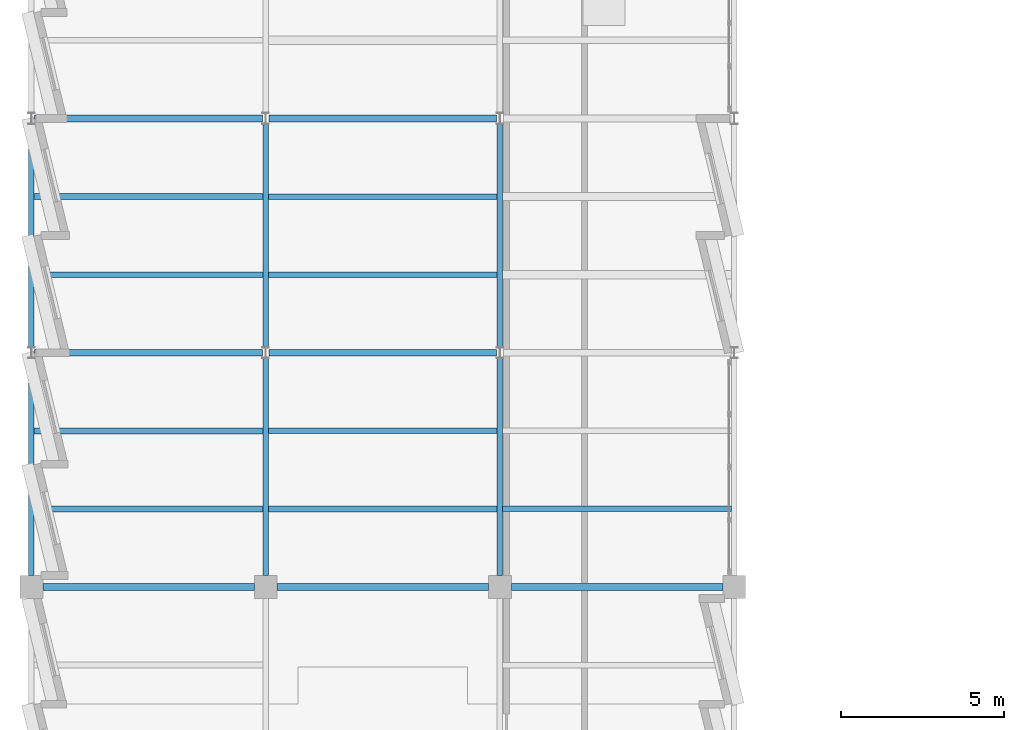
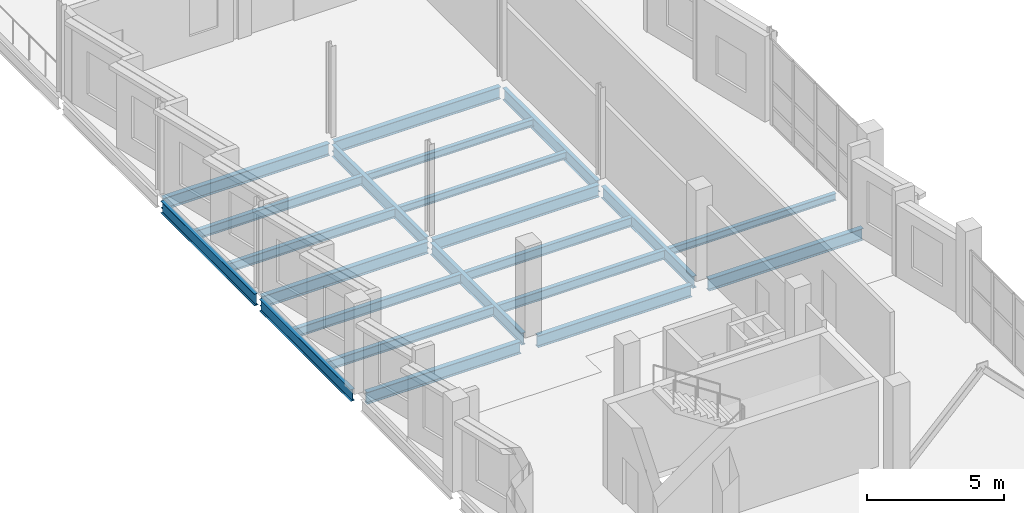
# One storey, part 15 of 33: 22 beams.
"""IFC4 building model written with IfcOpenShell, lengths in metres."""

from ifc_helpers import new_model, si_unit, direction, frame, origin, origin_2d, place, context, subcontext, project, spatial, i_section, extrude, material, material_profile, profile_set, type_object, element, save


model = new_model("IFC4")

# Units and contexts
model_context = context("Model", 3, precision=1e-05, world=origin(), true_north=direction((0.0, 1.0)))
body_context = subcontext(model_context, "Body", "Model", "MODEL_VIEW")
ifc_project = project(units=[si_unit("LENGTHUNIT", "METRE"), si_unit("AREAUNIT", "SQUARE_METRE"), si_unit("VOLUMEUNIT", "CUBIC_METRE"), si_unit("PLANEANGLEUNIT", "RADIAN"), si_unit("MASSUNIT", "GRAM", prefix="KILO")], contexts=[model_context])

# Site, building, storey
site_placement = place(None, origin())
site = spatial("IfcSite", under=ifc_project, at=site_placement, CompositionType="ELEMENT")
building_placement = place(site_placement, origin())
building = spatial("IfcBuilding", under=site, at=building_placement, Name="Kalmorath City Hall", CompositionType="ELEMENT")
storey_placement = place(building_placement, frame((0.0, 0.0, 22.949951171875)))
storey = spatial("IfcBuildingStorey", under=building, at=storey_placement, Name="L05", CompositionType="ELEMENT", Elevation=22.949951171875)

# Beams
ifc_material_1 = material(Name="Steel ASTM A992 Grade 50", Category="steel")
ifc_material_profile_1 = material_profile(ifc_material_1, i_section(OverallWidth=0.177001953125, OverallDepth=0.403076171875, WebThickness=0.007568359375, FlangeThickness=0.010986328125, FilletRadius=0.012939453125, at=origin_2d()), Name="W16X36")
ifc_profile_set_1 = profile_set([ifc_material_profile_1], Name="Steel ASTM A992 Grade 50")
beam_type_1 = type_object("IfcBeamType", Name="Steel composite joist W16X36", PredefinedType="JOIST", material=ifc_profile_set_1)
for number, where, z_axis, x_axis, name in (
    (1, (0.08251953125, 74.39990234375, -0.495361328125), (1.0, 0.0, 0.0), (0.0, 1.0, 0.0), "L05 joist SJ7 1.11.1"),
    (2, (0.08251953125, 76.800048828125, -0.495361328125), (1.0, 0.0, 0.0), (0.0, 1.0, 0.0), "L05 joist SJ7 1.11.2"),
):
    element("IfcBeam", number, at=place(storey_placement, frame(where, z_axis=z_axis, x_axis=x_axis)), inside=storey, type_object=beam_type_1, Name=name, PredefinedType="JOIST", context=body_context, shape_type="SweptSolid", body=[
        extrude(i_section(OverallWidth=0.177001953125, OverallDepth=0.403076171875, WebThickness=0.007568359375, FlangeThickness=0.010986328125, FilletRadius=0.012939453125, at=origin_2d()), origin(), (0.0, 0.0, 1.0), 7.033935546875),
    ])
for number, where, z_axis, x_axis, name in (
    (3, (7.283447265625, 67.199951171875, -0.495361328125), (1.0, 0.0, 0.0), (0.0, 1.0, 0.0), "L05 joist SJ7 2.10.1"),
    (4, (7.283447265625, 69.60009765625, -0.495361328125), (1.0, 0.0, 0.0), (0.0, 1.0, 0.0), "L05 joist SJ7 2.10.2"),
):
    element("IfcBeam", number, at=place(storey_placement, frame(where, z_axis=z_axis, x_axis=x_axis)), inside=storey, type_object=beam_type_1, Name=name, PredefinedType="JOIST", context=body_context, shape_type="SweptSolid", body=[
        extrude(i_section(OverallWidth=0.177001953125, OverallDepth=0.403076171875, WebThickness=0.007568359375, FlangeThickness=0.010986328125, FilletRadius=0.012939453125, at=origin_2d()), origin(), (0.0, 0.0, 1.0), 7.032958984375),
    ])
ifc_material_2 = material(Name="Steel ASTM A992 Grade 50", Category="steel")
ifc_material_profile_2 = material_profile(ifc_material_2, i_section(OverallWidth=0.178955078125, OverallDepth=0.409912109375, WebThickness=0.0087890625, FlangeThickness=0.014404296875, FilletRadius=0.012939453125, at=origin_2d()), Name="W16X45")
ifc_profile_set_2 = profile_set([ifc_material_profile_2], Name="Steel ASTM A992 Grade 50")
beam_type_2 = type_object("IfcBeamType", Name="Steel composite joist W16X45", PredefinedType="JOIST", material=ifc_profile_set_2)
for number, where, z_axis, x_axis, name in (
    (5, (0.08251953125, 67.199951171875, -0.4990234375), (1.0, 0.0, 0.0), (0.0, 1.0, 0.0), "L05 joist SJ6 1.10.1"),
    (6, (0.08251953125, 69.60009765625, -0.4990234375), (1.0, 0.0, 0.0), (0.0, 1.0, 0.0), "L05 joist SJ6 1.10.2"),
):
    element("IfcBeam", number, at=place(storey_placement, frame(where, z_axis=z_axis, x_axis=x_axis)), inside=storey, type_object=beam_type_2, Name=name, PredefinedType="JOIST", context=body_context, shape_type="SweptSolid", body=[
        extrude(i_section(OverallWidth=0.178955078125, OverallDepth=0.409912109375, WebThickness=0.0087890625, FlangeThickness=0.014404296875, FilletRadius=0.012939453125, at=origin_2d()), origin(), (0.0, 0.0, 1.0), 7.033935546875),
    ])
ifc_material_3 = material(Name="Steel ASTM A992 Grade 50", Category="steel")
ifc_material_profile_3 = material_profile(ifc_material_3, i_section(OverallWidth=0.1669921875, OverallDepth=0.534912109375, WebThickness=0.01025390625, FlangeThickness=0.0166015625, FilletRadius=0.014892578125, at=origin_2d()), Name="W21X57")
ifc_profile_set_3 = profile_set([ifc_material_profile_3], Name="Steel ASTM A992 Grade 50")
beam_type_3 = type_object("IfcBeamType", Name="Steel floor beam W21X57", PredefinedType="BEAM", material=ifc_profile_set_3)
beam_1_placement = place(storey_placement, frame((7.199951171875, 65.14990234375, -0.5615234375), z_axis=(0.0, 1.0, 0.0), x_axis=(-1.0, 0.0, 0.0)))
element("IfcBeam", 7, at=beam_1_placement, inside=storey, type_object=beam_type_3, Name="L05 girder SB3 Y2/10-11", PredefinedType="BEAM", context=body_context, shape_type="SweptSolid", body=[
    extrude(i_section(OverallWidth=0.1669921875, OverallDepth=0.534912109375, WebThickness=0.01025390625, FlangeThickness=0.0166015625, FilletRadius=0.014892578125, at=origin_2d()), origin(), (0.0, 0.0, 1.0), 6.675048828125),
])
beam_2_placement = place(storey_placement, frame((7.199951171875, 72.175048828125, -0.5615234375), z_axis=(0.0, 1.0, 0.0), x_axis=(-1.0, 0.0, 0.0)))
element("IfcBeam", 8, at=beam_2_placement, inside=storey, type_object=beam_type_3, Name="L05 girder SB3 Y2/11-12", PredefinedType="BEAM", context=body_context, shape_type="SweptSolid", body=[
    extrude(i_section(OverallWidth=0.1669921875, OverallDepth=0.534912109375, WebThickness=0.01025390625, FlangeThickness=0.0166015625, FilletRadius=0.014892578125, at=origin_2d()), origin(), (0.0, 0.0, 1.0), 6.849853515625),
])
beam_3_placement = place(storey_placement, frame((14.39990234375, 65.14990234375, -0.5615234375), z_axis=(0.0, 1.0, 0.0), x_axis=(-1.0, 0.0, 0.0)))
element("IfcBeam", 9, at=beam_3_placement, inside=storey, type_object=beam_type_3, Name="L05 girder SB3 Y3/10-11", PredefinedType="BEAM", context=body_context, shape_type="SweptSolid", body=[
    extrude(i_section(OverallWidth=0.1669921875, OverallDepth=0.534912109375, WebThickness=0.01025390625, FlangeThickness=0.0166015625, FilletRadius=0.014892578125, at=origin_2d()), origin(), (0.0, 0.0, 1.0), 6.675048828125),
])
beam_4_placement = place(storey_placement, frame((14.39990234375, 72.175048828125, -0.5615234375), z_axis=(0.0, 1.0, 0.0), x_axis=(-1.0, 0.0, 0.0)))
element("IfcBeam", 10, at=beam_4_placement, inside=storey, type_object=beam_type_3, Name="L05 girder SB3 Y3/11-12", PredefinedType="BEAM", context=body_context, shape_type="SweptSolid", body=[
    extrude(i_section(OverallWidth=0.1669921875, OverallDepth=0.534912109375, WebThickness=0.01025390625, FlangeThickness=0.0166015625, FilletRadius=0.014892578125, at=origin_2d()), origin(), (0.0, 0.0, 1.0), 6.849853515625),
])
ifc_material_4 = material(Name="Steel ASTM A992 Grade 50", Category="steel")
ifc_material_profile_4 = material_profile(ifc_material_4, i_section(OverallWidth=0.208984375, OverallDepth=0.532958984375, WebThickness=0.01025390625, FlangeThickness=0.015625, FilletRadius=0.014892578125, at=origin_2d()), Name="W21X62")
ifc_profile_set_4 = profile_set([ifc_material_profile_4], Name="Steel ASTM A992 Grade 50")
beam_type_4 = type_object("IfcBeamType", Name="Steel floor beam W21X62", PredefinedType="BEAM", material=ifc_profile_set_4)
for number, where, z_axis, x_axis, name in (
    (11, (0.35009765625, 64.800048828125, -0.560546875), (1.0, 0.0, 0.0), (0.0, 1.0, 0.0), "L05 girder SB2 X1-2/10"),
    (12, (7.550048828125, 64.800048828125, -0.560546875), (1.0, 0.0, 0.0), (0.0, 1.0, 0.0), "L05 girder SB2 X2-3/10"),
    (13, (14.75, 64.800048828125, -0.560546875), (1.0, 0.0, 0.0), (0.0, 1.0, 0.0), "L05 girder SB2 X3-4/10"),
):
    element("IfcBeam", number, at=place(storey_placement, frame(where, z_axis=z_axis, x_axis=x_axis)), inside=storey, type_object=beam_type_4, Name=name, PredefinedType="BEAM", context=body_context, shape_type="SweptSolid", body=[
        extrude(i_section(OverallWidth=0.208984375, OverallDepth=0.532958984375, WebThickness=0.01025390625, FlangeThickness=0.015625, FilletRadius=0.014892578125, at=origin_2d()), origin(), (0.0, 0.0, 1.0), 6.5),
    ])
beam_5_placement = place(storey_placement, frame((0.10205078125, 72.0, -0.560546875), z_axis=(1.0, 0.0, 0.0), x_axis=(0.0, 1.0, 0.0)))
element("IfcBeam", 14, at=beam_5_placement, inside=storey, type_object=beam_type_4, Name="L05 girder SB2 X1-2/11", PredefinedType="BEAM", context=body_context, shape_type="SweptSolid", body=[
    extrude(i_section(OverallWidth=0.208984375, OverallDepth=0.532958984375, WebThickness=0.01025390625, FlangeThickness=0.015625, FilletRadius=0.014892578125, at=origin_2d()), origin(), (0.0, 0.0, 1.0), 6.995849609375),
])
beam_6_placement = place(storey_placement, frame((7.302001953125, 72.0, -0.560546875), z_axis=(1.0, 0.0, 0.0), x_axis=(0.0, 1.0, 0.0)))
element("IfcBeam", 15, at=beam_6_placement, inside=storey, type_object=beam_type_4, Name="L05 girder SB2 X2-3/11", PredefinedType="BEAM", context=body_context, shape_type="SweptSolid", body=[
    extrude(i_section(OverallWidth=0.208984375, OverallDepth=0.532958984375, WebThickness=0.01025390625, FlangeThickness=0.015625, FilletRadius=0.014892578125, at=origin_2d()), origin(), (0.0, 0.0, 1.0), 6.99609375),
])
beam_7_placement = place(storey_placement, frame((0.10205078125, 79.199951171875, -0.560546875), z_axis=(1.0, 0.0, 0.0), x_axis=(0.0, 1.0, 0.0)))
element("IfcBeam", 16, at=beam_7_placement, inside=storey, type_object=beam_type_4, Name="L05 girder SB2 X1-2/12", PredefinedType="BEAM", context=body_context, shape_type="SweptSolid", body=[
    extrude(i_section(OverallWidth=0.208984375, OverallDepth=0.532958984375, WebThickness=0.01025390625, FlangeThickness=0.015625, FilletRadius=0.014892578125, at=origin_2d()), origin(), (0.0, 0.0, 1.0), 6.995849609375),
])
beam_8_placement = place(storey_placement, frame((7.302001953125, 79.199951171875, -0.560546875), z_axis=(1.0, 0.0, 0.0), x_axis=(0.0, 1.0, 0.0)))
element("IfcBeam", 17, at=beam_8_placement, inside=storey, type_object=beam_type_4, Name="L05 girder SB2 X2-3/12", PredefinedType="BEAM", context=body_context, shape_type="SweptSolid", body=[
    extrude(i_section(OverallWidth=0.208984375, OverallDepth=0.532958984375, WebThickness=0.01025390625, FlangeThickness=0.015625, FilletRadius=0.014892578125, at=origin_2d()), origin(), (0.0, 0.0, 1.0), 6.99609375),
])
ifc_material_5 = material(Name="Steel ASTM A992 Grade 50", Category="steel")
ifc_material_profile_5 = material_profile(ifc_material_5, i_section(OverallWidth=0.1669921875, OverallDepth=0.318115234375, WebThickness=0.007568359375, FlangeThickness=0.01318359375, FilletRadius=0.012939453125, at=origin_2d()), Name="W12X35")
ifc_profile_set_5 = profile_set([ifc_material_profile_5], Name="Steel ASTM A992 Grade 50")
beam_type_5 = type_object("IfcBeamType", Name="Steel header lintel W12X35", PredefinedType="LINTEL", material=ifc_profile_set_5)
for number, where, z_axis, x_axis, name in (
    (18, (7.283447265625, 74.39990234375, -0.452880859375), (1.0, 0.0, 0.0), (0.0, 1.0, 0.0), "L05 joist SJ13 2.11.1"),
    (19, (7.283447265625, 76.800048828125, -0.452880859375), (1.0, 0.0, 0.0), (0.0, 1.0, 0.0), "L05 joist SJ13 2.11.2"),
):
    element("IfcBeam", number, at=place(storey_placement, frame(where, z_axis=z_axis, x_axis=x_axis)), inside=storey, type_object=beam_type_5, Name=name, PredefinedType="LINTEL", context=body_context, shape_type="SweptSolid", body=[
        extrude(i_section(OverallWidth=0.1669921875, OverallDepth=0.318115234375, WebThickness=0.007568359375, FlangeThickness=0.01318359375, FilletRadius=0.012939453125, at=origin_2d()), origin(), (0.0, 0.0, 1.0), 7.032958984375),
    ])
beam_9_placement = place(storey_placement, frame((14.4833984375, 67.199951171875, -0.452880859375), z_axis=(1.0, 0.0, 0.0), x_axis=(0.0, 1.0, 0.0)))
element("IfcBeam", 20, at=beam_9_placement, inside=storey, type_object=beam_type_5, Name="L05 joist SJ13 3.10.1", PredefinedType="LINTEL", context=body_context, shape_type="SweptSolid", body=[
    extrude(i_section(OverallWidth=0.1669921875, OverallDepth=0.318115234375, WebThickness=0.007568359375, FlangeThickness=0.01318359375, FilletRadius=0.012939453125, at=origin_2d()), origin(), (0.0, 0.0, 1.0), 7.0341796875),
])
ifc_material_6 = material(Name="Steel ASTM A992 Grade 50", Category="steel")
ifc_material_profile_6 = material_profile(ifc_material_6, i_section(OverallWidth=0.1650390625, OverallDepth=0.52490234375, WebThickness=0.0087890625, FlangeThickness=0.011474609375, FilletRadius=0.014892578125, at=origin_2d()), Name="W21X44")
ifc_profile_set_6 = profile_set([ifc_material_profile_6], Name="Steel ASTM A992 Grade 50")
beam_type_6 = type_object("IfcBeamType", Name="Steel spandrel beam W21X44", PredefinedType="SPANDREL", material=ifc_profile_set_6)
beam_10_placement = place(storey_placement, frame((0.0, 65.14990234375, -0.556396484375), z_axis=(0.0, 1.0, 0.0), x_axis=(-1.0, 0.0, 0.0)))
element("IfcBeam", 21, at=beam_10_placement, inside=storey, type_object=beam_type_6, Name="L05 girder SB4 Y1/10-11", PredefinedType="SPANDREL", context=body_context, shape_type="SweptSolid", body=[
    extrude(i_section(OverallWidth=0.1650390625, OverallDepth=0.52490234375, WebThickness=0.0087890625, FlangeThickness=0.011474609375, FilletRadius=0.014892578125, at=origin_2d()), origin(), (0.0, 0.0, 1.0), 6.675048828125),
])
beam_11_placement = place(storey_placement, frame((0.0, 72.175048828125, -0.556396484375), z_axis=(0.0, 1.0, 0.0), x_axis=(-1.0, 0.0, 0.0)))
element("IfcBeam", 22, at=beam_11_placement, inside=storey, type_object=beam_type_6, Name="L05 girder SB4 Y1/11-12", PredefinedType="SPANDREL", context=body_context, shape_type="SweptSolid", body=[
    extrude(i_section(OverallWidth=0.1650390625, OverallDepth=0.52490234375, WebThickness=0.0087890625, FlangeThickness=0.011474609375, FilletRadius=0.014892578125, at=origin_2d()), origin(), (0.0, 0.0, 1.0), 6.849853515625),
])

save(model, "model.ifc")
